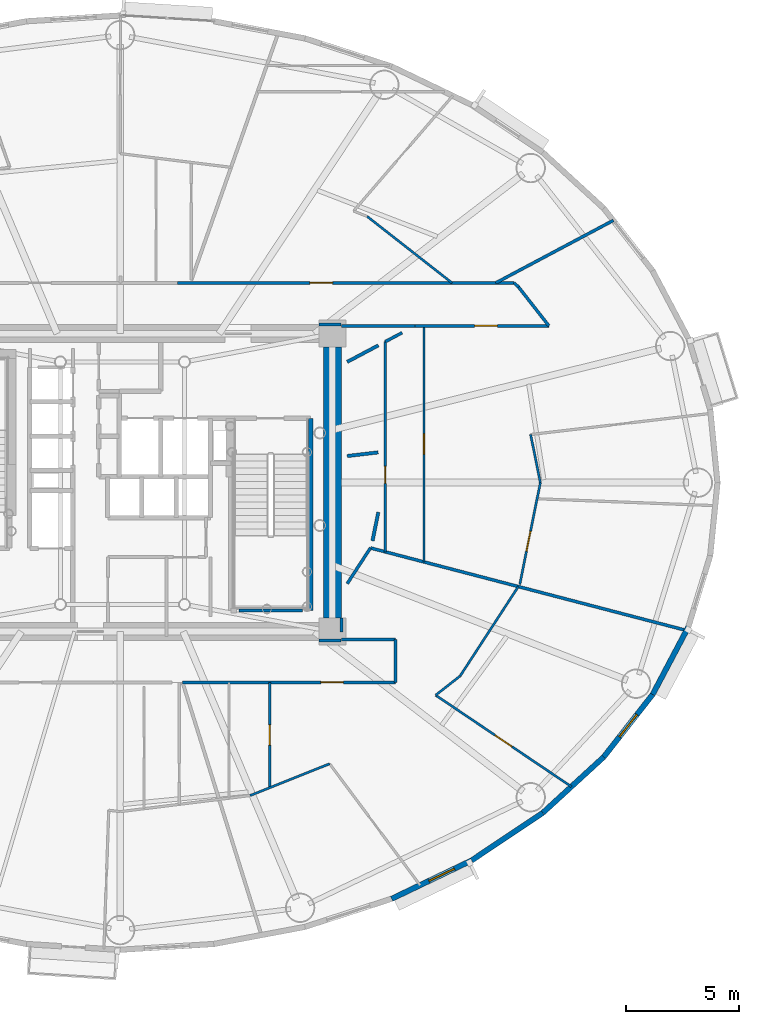
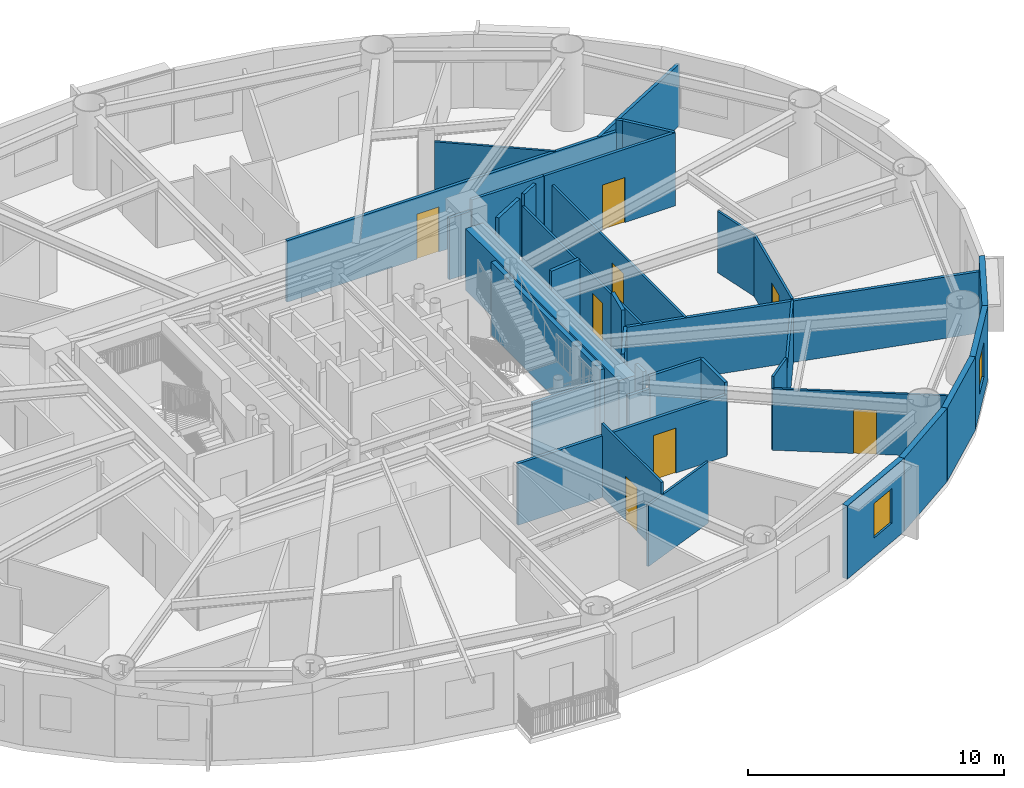
# One storey, part 9 of 18: 36 walls, 8 doors, 2 windows, 10 openings.
"""IFC4 building model written with IfcOpenShell, lengths in metres."""

from ifc_helpers import new_model, si_unit, direction, frame, frame_2d, origin, origin_2d, place, context, subcontext, project, spatial, rectangle, extrude, source, transform, mapped, material, layer, layer_set, type_object, element, fill, save


model = new_model("IFC4")

# Units and contexts
model_context = context("Model", 3, precision=1e-05, world=origin(), true_north=direction((0.0, 1.0)))
body_context = subcontext(model_context, "Body", "Model", "MODEL_VIEW")
ifc_project = project(units=[si_unit("LENGTHUNIT", "METRE"), si_unit("AREAUNIT", "SQUARE_METRE"), si_unit("VOLUMEUNIT", "CUBIC_METRE"), si_unit("PLANEANGLEUNIT", "RADIAN"), si_unit("MASSUNIT", "GRAM", prefix="KILO")], contexts=[model_context])

# Site, building, storey
site_placement = place(None, origin())
site = spatial("IfcSite", under=ifc_project, at=site_placement, CompositionType="ELEMENT")
building_placement = place(site_placement, origin())
building = spatial("IfcBuilding", under=site, at=building_placement, Name="Linh Dai School and Residence Tower", CompositionType="ELEMENT")
storey_placement = place(building_placement, frame((0.0, 0.0, 178.64990234375)))
storey = spatial("IfcBuildingStorey", under=building, at=storey_placement, Name="L43", CompositionType="ELEMENT", Elevation=178.64990234375)

# Wall, opening, window
ifc_material_1 = material(Name="Precast Concrete B45 (C35/45)", Category="concrete")
ifc_layer_1 = layer(ifc_material_1, 0.239990234375)
ifc_layer_set_1 = layer_set([ifc_layer_1], Name="Precast Concrete B45 (C35/45)")
wall_type_1 = type_object("IfcWallType", Name="EW-TC-240", PredefinedType="SOLIDWALL", material=ifc_layer_set_1)
wall_1_placement = place(storey_placement, frame((51.5732421875, 10.2568359375, 0.0), z_axis=(0.0, 0.0, 1.0), x_axis=(-0.901564733809, -0.432644231155, 0.0)))
wall_1 = element("IfcWall", 1, at=wall_1_placement, inside=storey, type_object=wall_type_1, Name="L43 Terracotta Exterior Wall 34", PredefinedType="SOLIDWALL", context=body_context, shape_type="SweptSolid", body=[
    extrude(rectangle(XDim=3.930419921875, YDim=0.239990234375, at=frame_2d((1.96533203125, 0.0))), origin(), (0.0, 0.0, 1.0), 3.5),
])
opening_1_placement = place(wall_1_placement, frame((0.84814453125, 0.0, 0.89990234375)))
opening_1 = element("IfcOpeningElement", 2, at=opening_1_placement, cuts=wall_1, Name="Opening W3", PredefinedType="OPENING", context=body_context, shape_type="SweptSolid", body=[
    extrude(rectangle(XDim=1.25, YDim=1.64990234375, at=origin_2d()), frame((0.625, 0.1298828125, 0.824951171875), z_axis=(0.0, -1.0, 0.0), x_axis=(1.0, 0.0, 0.0)), (0.0, 0.0, 1.0), 0.260009765625),
])
ifc_material_2 = material(Name="Double Low-E Insulated Glazing", Category="glass")
window_type = type_object("IfcWindowType", Name="WN-RES-1250x1650", PartitioningType="SINGLE_PANEL", PredefinedType="WINDOW", material=ifc_material_2)
shared_shape_1 = source(origin(), body_context, "Body", "SweptSolid", [
    extrude(rectangle(XDim=1.25, YDim=1.64990234375, at=origin_2d()), frame((0.625, 0.030029296875, 0.824951171875), z_axis=(0.0, -1.0, 0.0), x_axis=(1.0, 0.0, 0.0)), (0.0, 0.0, 1.0), 0.06005859375),
])
window_1_placement = place(opening_1_placement, origin())
window_1 = element("IfcWindow", 3, at=window_1_placement, inside=storey, type_object=window_type, Name="L43 Exterior Window 34.1", OverallHeight=1.64990234375, OverallWidth=1.25, PartitioningType="SINGLE_PANEL", PredefinedType="WINDOW", context=body_context, shape_type="MappedRepresentation", body=[
    mapped(shared_shape_1, transform((0.0, 0.0, 0.0), x_axis=(1.0, 0.0, 0.0), y_axis=(0.0, 1.0, 0.0), z_axis=(0.0, 0.0, 1.0), scale=1.0)),
])
fill(opening_1, window_1)

# Walls
wall_2_placement = place(storey_placement, frame((54.73193359375, 12.369384765625, 0.0), z_axis=(0.0, 0.0, 1.0), x_axis=(-0.831228998277, -0.555930168657, 0.0)))
element("IfcWall", 4, at=wall_2_placement, inside=storey, type_object=wall_type_1, Name="L43 Terracotta Exterior Wall 35", PredefinedType="SOLIDWALL", context=body_context, shape_type="SweptSolid", body=[
    extrude(rectangle(XDim=3.800048828125, YDim=0.239990234375, at=frame_2d((1.89990234375, 0.0))), origin(), (0.0, 0.0, 1.0), 3.5),
])
wall_3_placement = place(storey_placement, frame((57.42822265625, 14.841552734375, 0.0), z_axis=(0.0, 0.0, 1.0), x_axis=(-0.737076565834, -0.675809245349, 0.0)))
element("IfcWall", 5, at=wall_3_placement, inside=storey, type_object=wall_type_1, Name="L43 Terracotta Exterior Wall 36", PredefinedType="SOLIDWALL", context=body_context, shape_type="SweptSolid", body=[
    extrude(rectangle(XDim=3.658203125, YDim=0.239990234375, at=frame_2d((1.8291015625, 0.0))), origin(), (0.0, 0.0, 1.0), 3.5),
])

# Wall, opening, window
wall_4_placement = place(storey_placement, frame((59.595947265625, 17.611572265625, 0.0), z_axis=(0.0, 0.0, 1.0), x_axis=(-0.616287674549, -0.787521112224, 0.0)))
wall_4 = element("IfcWall", 6, at=wall_4_placement, inside=storey, type_object=wall_type_1, Name="L43 Terracotta Exterior Wall 37", PredefinedType="SOLIDWALL", context=body_context, shape_type="SweptSolid", body=[
    extrude(rectangle(XDim=3.517333984375, YDim=0.239990234375, at=frame_2d((1.7587890625, 0.0))), origin(), (0.0, 0.0, 1.0), 3.5),
])
opening_2_placement = place(wall_4_placement, frame((1.1337890625, 0.0, 0.89990234375)))
opening_2 = element("IfcOpeningElement", 7, at=opening_2_placement, cuts=wall_4, Name="Opening W3", PredefinedType="OPENING", context=body_context, shape_type="SweptSolid", body=[
    extrude(rectangle(XDim=1.25, YDim=1.64990234375, at=origin_2d()), frame((0.625, 0.1298828125, 0.824951171875), z_axis=(0.0, -1.0, 0.0), x_axis=(1.0, 0.0, 0.0)), (0.0, 0.0, 1.0), 0.260009765625),
])
window_2_placement = place(opening_2_placement, origin())
window_2 = element("IfcWindow", 8, at=window_2_placement, inside=storey, type_object=window_type, Name="L43 Dwelling Window U4306-BD2", OverallHeight=1.64990234375, OverallWidth=1.25, PartitioningType="SINGLE_PANEL", PredefinedType="WINDOW", context=body_context, shape_type="MappedRepresentation", body=[
    mapped(shared_shape_1, transform((0.0, 0.0, 0.0), x_axis=(1.0, 0.0, 0.0), y_axis=(0.0, 1.0, 0.0), z_axis=(0.0, 0.0, 1.0), scale=1.0)),
])
fill(opening_2, window_2)

# Wall
wall_5_placement = place(storey_placement, frame((61.1826171875, 20.611083984375, 0.0), z_axis=(0.0, 0.0, 1.0), x_axis=(-0.467586874938, -0.88394712194, 0.0)))
element("IfcWall", 9, at=wall_5_placement, inside=storey, type_object=wall_type_1, Name="L43 Terracotta Exterior Wall 38", PredefinedType="SOLIDWALL", context=body_context, shape_type="SweptSolid", body=[
    extrude(rectangle(XDim=3.393310546875, YDim=0.239990234375, at=frame_2d((1.69677734375, 0.0))), origin(), (0.0, 0.0, 1.0), 3.5),
])

# Wall, opening, door
ifc_material_3 = material(Name="Autoclaved Aerated Concrete Blockwork", Category="masonry")
ifc_layer_2 = layer(ifc_material_3, 0.135009765625)
ifc_layer_set_2 = layer_set([ifc_layer_2], Name="Autoclaved Aerated Concrete Blockwork")
wall_type_2 = type_object("IfcWallType", Name="IW-CORR-135-EI90", PredefinedType="PARTITIONING", material=ifc_layer_set_2)
wall_6_placement = place(storey_placement, frame((38.541259765625, 35.85009765625, 0.0), z_axis=(0.0, 0.0, 1.0), x_axis=(1.0, 0.0, 0.0)))
wall_6 = element("IfcWall", 10, at=wall_6_placement, inside=storey, type_object=wall_type_2, Name="L43 Interior Partition Wall 065", PredefinedType="PARTITIONING", context=body_context, shape_type="SweptSolid", body=[
    extrude(rectangle(XDim=14.91259765625, YDim=0.135009765625, at=frame_2d((7.456298828125, 0.0))), origin(), (0.0, 0.0, 1.0), 2.93505859375),
])
opening_3_placement = place(wall_6_placement, frame((5.86767578125, 0.0, 0.0)))
opening_3 = element("IfcOpeningElement", 11, at=opening_3_placement, cuts=wall_6, Name="Opening D03", PredefinedType="OPENING", context=body_context, shape_type="SweptSolid", body=[
    extrude(rectangle(XDim=1.0, YDim=2.14990234375, at=origin_2d()), frame((0.5, 0.07763671875, 1.074951171875), z_axis=(0.0, -1.0, 0.0), x_axis=(1.0, 0.0, 0.0)), (0.0, 0.0, 1.0), 0.155029296875),
])
ifc_material_4 = material(Name="Fire-Rated Solid Timber Entrance Door", Category="wood")
door_type_1 = type_object("IfcDoorType", Name="DR-FLAT-1000x2150-FD60S", OperationType="NOTDEFINED", PredefinedType="DOOR", material=ifc_material_4)
shared_shape_2 = source(origin(), body_context, "Body", "SweptSolid", [
    extrude(rectangle(XDim=1.0, YDim=2.14990234375, at=origin_2d()), frame((0.5, 0.02490234375, 1.074951171875), z_axis=(0.0, -1.0, 0.0), x_axis=(1.0, 0.0, 0.0)), (0.0, 0.0, 1.0), 0.050048828125),
])
door_1_placement = place(opening_3_placement, origin())
door_1 = element("IfcDoor", 12, at=door_1_placement, inside=storey, type_object=door_type_1, Name="L43 U4301 Apartment Entrance Door", OperationType="SINGLE_SWING_RIGHT", OverallHeight=2.14990234375, OverallWidth=1.0, PredefinedType="DOOR", context=body_context, shape_type="MappedRepresentation", body=[
    mapped(shared_shape_2, transform((0.0, 0.0, 0.0), x_axis=(1.0, 0.0, 0.0), y_axis=(0.0, 1.0, 0.0), z_axis=(0.0, 0.0, 1.0), scale=1.0)),
])
fill(opening_3, door_1)

wall_7_placement = place(storey_placement, frame((38.763671875, 18.14990234375, 0.0), z_axis=(0.0, 0.0, 1.0), x_axis=(1.0, 0.0, 0.0)))
wall_7 = element("IfcWall", 13, at=wall_7_placement, inside=storey, type_object=wall_type_2, Name="L43 Interior Partition Wall 068", PredefinedType="PARTITIONING", context=body_context, shape_type="SweptSolid", body=[
    extrude(rectangle(XDim=9.436279296875, YDim=0.135009765625, at=frame_2d((4.71826171875, 0.0))), origin(), (0.0, 0.0, 1.0), 2.93505859375),
])
opening_4_placement = place(wall_7_placement, frame((6.1298828125, 0.0, 0.0)))
opening_4 = element("IfcOpeningElement", 14, at=opening_4_placement, cuts=wall_7, Name="Opening D03", PredefinedType="OPENING", context=body_context, shape_type="SweptSolid", body=[
    extrude(rectangle(XDim=1.0, YDim=2.14990234375, at=origin_2d()), frame((0.5, 0.07763671875, 1.074951171875), z_axis=(0.0, -1.0, 0.0), x_axis=(1.0, 0.0, 0.0)), (0.0, 0.0, 1.0), 0.155029296875),
])
door_2_placement = place(opening_4_placement, origin())
door_2 = element("IfcDoor", 15, at=door_2_placement, inside=storey, type_object=door_type_1, Name="L43 U4306 Apartment Entrance Door", OperationType="SINGLE_SWING_LEFT", OverallHeight=2.14990234375, OverallWidth=1.0, PredefinedType="DOOR", context=body_context, shape_type="MappedRepresentation", body=[
    mapped(shared_shape_2, transform((0.0, 0.0, 0.0), x_axis=(1.0, 0.0, 0.0), y_axis=(0.0, 1.0, 0.0), z_axis=(0.0, 0.0, 1.0), scale=1.0)),
])
fill(opening_4, door_2)

# Walls
wall_8_placement = place(storey_placement, frame((45.800048828125, 20.050048828125, 0.0), z_axis=(0.0, 0.0, 1.0), x_axis=(1.0, 0.0, 0.0)))
element("IfcWall", 16, at=wall_8_placement, inside=storey, type_object=wall_type_2, Name="L43 Interior Partition Wall 083", PredefinedType="PARTITIONING", context=body_context, shape_type="SweptSolid", body=[
    extrude(rectangle(XDim=2.39990234375, YDim=0.135009765625, at=frame_2d((1.199951171875, 0.0))), origin(), (0.0, 0.0, 1.0), 3.5),
])
wall_9_placement = place(storey_placement, frame((47.090087890625, 24.104736328125, 0.0), z_axis=(0.0, 0.0, 1.0), x_axis=(0.967573213792, -0.252590728159, 0.0)))
element("IfcWall", 17, at=wall_9_placement, inside=storey, type_object=wall_type_2, Name="L43 Interior Partition Wall 087", PredefinedType="PARTITIONING", context=body_context, shape_type="SweptSolid", body=[
    extrude(rectangle(XDim=14.480712890625, YDim=0.135009765625, at=frame_2d((7.240234375, 0.0))), origin(), (0.0, 0.0, 1.0), 2.93505859375),
])
wall_10_placement = place(storey_placement, frame((48.199951171875, 18.14990234375, 0.0), z_axis=(0.0, 0.0, 1.0), x_axis=(0.0, 1.0, 0.0)))
element("IfcWall", 18, at=wall_10_placement, inside=storey, type_object=wall_type_2, Name="L43 Interior Partition Wall 089", PredefinedType="PARTITIONING", context=body_context, shape_type="SweptSolid", body=[
    extrude(rectangle(XDim=1.900146484375, YDim=0.135009765625, at=frame_2d((0.9501953125, 0.0))), origin(), (0.0, 0.0, 1.0), 3.5),
])

# Wall, opening, door
wall_11_placement = place(storey_placement, frame((49.071044921875, 33.949951171875, 0.0), z_axis=(0.0, 0.0, 1.0), x_axis=(1.0, 0.0, 0.0)))
wall_11 = element("IfcWall", 19, at=wall_11_placement, inside=storey, type_object=wall_type_2, Name="L43 Interior Partition Wall 090", PredefinedType="PARTITIONING", context=body_context, shape_type="SweptSolid", body=[
    extrude(rectangle(XDim=5.926025390625, YDim=0.135009765625, at=frame_2d((2.962890625, 0.0))), origin(), (0.0, 0.0, 1.0), 3.5),
])
opening_5_placement = place(wall_11_placement, frame((2.6396484375, 0.0, 0.0)))
opening_5 = element("IfcOpeningElement", 20, at=opening_5_placement, cuts=wall_11, Name="Opening D03", PredefinedType="OPENING", context=body_context, shape_type="SweptSolid", body=[
    extrude(rectangle(XDim=1.0, YDim=2.14990234375, at=origin_2d()), frame((0.5, 0.07763671875, 1.074951171875), z_axis=(0.0, -1.0, 0.0), x_axis=(1.0, 0.0, 0.0)), (0.0, 0.0, 1.0), 0.155029296875),
])
door_3_placement = place(opening_5_placement, origin())
door_3 = element("IfcDoor", 21, at=door_3_placement, inside=storey, type_object=door_type_1, Name="L43 U4307 Apartment Entrance Door", OperationType="SINGLE_SWING_RIGHT", OverallHeight=2.14990234375, OverallWidth=1.0, PredefinedType="DOOR", context=body_context, shape_type="MappedRepresentation", body=[
    mapped(shared_shape_2, transform((0.0, 0.0, 0.0), x_axis=(1.0, 0.0, 0.0), y_axis=(0.0, 1.0, 0.0), z_axis=(0.0, 0.0, 1.0), scale=1.0)),
])
fill(opening_5, door_3)

# Walls
wall_12_placement = place(storey_placement, frame((52.64453125, 35.85009765625, 0.0), z_axis=(0.0, 0.0, 1.0), x_axis=(0.882944268091, 0.469477815712, 0.0)))
element("IfcWall", 22, at=wall_12_placement, inside=storey, type_object=wall_type_2, Name="L43 Interior Partition Wall 095", PredefinedType="PARTITIONING", context=body_context, shape_type="SweptSolid", body=[
    extrude(rectangle(XDim=5.90185546875, YDim=0.135009765625, at=frame_2d((2.950927734375, 0.0))), origin(), (0.0, 0.0, 1.0), 2.93505859375),
])
wall_13_placement = place(storey_placement, frame((53.453857421875, 35.85009765625, 0.0), z_axis=(0.0, 0.0, 1.0), x_axis=(0.736667385572, -0.676255249913, 0.0)))
element("IfcWall", 23, at=wall_13_placement, inside=storey, type_object=wall_type_2, Name="L43 Interior Partition Wall 096", PredefinedType="PARTITIONING", context=body_context, shape_type="SweptSolid", body=[
    extrude(rectangle(XDim=0.270751953125, YDim=0.135009765625, at=frame_2d((0.13525390625, 0.0))), origin(), (0.0, 0.0, 1.0), 3.5),
])
wall_14_placement = place(storey_placement, frame((53.6533203125, 35.6669921875, 0.0), z_axis=(0.0, 0.0, 1.0), x_axis=(0.616302223209, -0.787509726713, 0.0)))
element("IfcWall", 24, at=wall_14_placement, inside=storey, type_object=wall_type_2, Name="L43 Interior Partition Wall 097", PredefinedType="PARTITIONING", context=body_context, shape_type="SweptSolid", body=[
    extrude(rectangle(XDim=2.180419921875, YDim=0.135009765625, at=frame_2d((1.09033203125, 0.0))), origin(), (0.0, 0.0, 1.0), 3.5),
])
wall_15_placement = place(storey_placement, frame((44.080078125, 21.330078125, 0.0), z_axis=(0.0, 0.0, 1.0), x_axis=(-1.0, 0.0, 0.0)))
element("IfcWall", 25, at=wall_15_placement, inside=storey, type_object=wall_type_2, Name="L43 Interior Partition Wall 102", PredefinedType="PARTITIONING", context=body_context, shape_type="SweptSolid", body=[
    extrude(rectangle(XDim=2.820068359375, YDim=0.135009765625, at=frame_2d((1.41015625, 0.0))), origin(), (0.0, 0.0, 1.0), 3.03515625),
])
wall_16_placement = place(storey_placement, frame((49.06103515625, 33.949951171875, 0.0), z_axis=(0.0, 0.0, 1.0), x_axis=(-1.0, 0.0, 0.0)))
element("IfcWall", 26, at=wall_16_placement, inside=storey, type_object=wall_type_2, Name="L43 Interior Partition Wall 109", PredefinedType="PARTITIONING", context=body_context, shape_type="SweptSolid", body=[
    extrude(rectangle(XDim=3.260986328125, YDim=0.135009765625, at=frame_2d((1.63037109375, 0.0))), origin(), (0.0, 0.0, 1.0), 3.5),
])
for number, where, z_axis, x_axis, name in (
    (27, (45.7900390625, 34.0, 0.0), (0.0, 0.0, 1.0), (-1.0, 0.0, 0.0), "L43 Interior Partition Wall 110"),
    (28, (44.81005859375, 20.0, 0.0), (0.0, 0.0, 1.0), (1.0, 0.0, 0.0), "L43 Interior Partition Wall 115"),
):
    element("IfcWall", number, at=place(storey_placement, frame(where, z_axis=z_axis, x_axis=x_axis)), inside=storey, type_object=wall_type_2, Name=name, PredefinedType="PARTITIONING", context=body_context, shape_type="SweptSolid", body=[
        extrude(rectangle(XDim=0.97998046875, YDim=0.135009765625, at=frame_2d((0.489990234375, 0.0))), origin(), (0.0, 0.0, 1.0), 2.93505859375),
    ])
wall_17_placement = place(storey_placement, frame((45.800048828125, 20.37744140625, 0.0), z_axis=(0.0, 0.0, 1.0), x_axis=(0.0, 1.0, 0.0)))
element("IfcWall", 29, at=wall_17_placement, inside=storey, type_object=wall_type_2, Name="L43 Interior Partition Wall 121", PredefinedType="PARTITIONING", context=body_context, shape_type="SweptSolid", body=[
    extrude(rectangle(XDim=0.612548828125, YDim=0.135009765625, at=frame_2d((0.30615234375, 0.0))), origin(), (0.0, 0.0, 1.0), 3.5),
])
wall_18_placement = place(storey_placement, frame((46.06005859375, 22.521484375, 0.0), z_axis=(0.0, 0.0, 1.0), x_axis=(0.545329049498, 0.838222063521, 0.0)))
element("IfcWall", 30, at=wall_18_placement, inside=storey, type_object=wall_type_2, Name="L43 Interior Partition Wall 122", PredefinedType="PARTITIONING", context=body_context, shape_type="SweptSolid", body=[
    extrude(rectangle(XDim=1.888916015625, YDim=0.135009765625, at=frame_2d((0.9443359375, 0.0))), origin(), (0.0, 0.0, 1.0), 2.93505859375),
])
wall_19_placement = place(storey_placement, frame((47.749267578125, 33.2470703125, 0.0), z_axis=(0.0, 0.0, 1.0), x_axis=(0.882834022315, 0.469685095616, 0.0)))
element("IfcWall", 31, at=wall_19_placement, inside=storey, type_object=wall_type_2, Name="L43 Interior Partition Wall 126", PredefinedType="PARTITIONING", context=body_context, shape_type="SweptSolid", body=[
    extrude(rectangle(XDim=0.842041015625, YDim=0.135009765625, at=frame_2d((0.4208984375, 0.0))), origin(), (0.0, 0.0, 1.0), 3.5),
])
ifc_layer_3 = layer(ifc_material_3, 0.14990234375)
ifc_layer_set_3 = layer_set([ifc_layer_3], Name="Autoclaved Aerated Concrete Blockwork")
wall_type_3 = type_object("IfcWallType", Name="IW-SCH-150-EI60", PredefinedType="PARTITIONING", material=ifc_layer_set_3)
wall_20_placement = place(storey_placement, frame((47.43310546875, 28.33984375, 0.0), z_axis=(0.0, 0.0, 1.0), x_axis=(-0.993204743367, -0.116380143293, 0.0)))
element("IfcWall", 32, at=wall_20_placement, inside=storey, type_object=wall_type_3, Name="L43 Interior Partition Wall 123", PredefinedType="PARTITIONING", context=body_context, shape_type="SweptSolid", body=[
    extrude(rectangle(XDim=1.38232421875, YDim=0.14990234375, at=frame_2d((0.691162109375, 0.0))), origin(), (0.0, 0.0, 1.0), 3.5),
])
wall_21_placement = place(storey_placement, frame((46.06005859375, 32.34912109375, 0.0), z_axis=(0.0, 0.0, 1.0), x_axis=(0.882988187469, 0.469395207465, 0.0)))
element("IfcWall", 33, at=wall_21_placement, inside=storey, type_object=wall_type_3, Name="L43 Interior Partition Wall 124", PredefinedType="PARTITIONING", context=body_context, shape_type="SweptSolid", body=[
    extrude(rectangle(XDim=1.56201171875, YDim=0.14990234375, at=frame_2d((0.781005859375, 0.0))), origin(), (0.0, 0.0, 1.0), 3.5),
])
wall_22_placement = place(storey_placement, frame((47.18212890625, 24.419189453125, 0.0), z_axis=(0.0, 0.0, 1.0), x_axis=(0.198178705385, 0.980165904698, 0.0)))
element("IfcWall", 34, at=wall_22_placement, inside=storey, type_object=wall_type_3, Name="L43 Interior Partition Wall 125", PredefinedType="PARTITIONING", context=body_context, shape_type="SweptSolid", body=[
    extrude(rectangle(XDim=1.297119140625, YDim=0.14990234375, at=frame_2d((0.6484375, 0.0))), origin(), (0.0, 0.0, 1.0), 3.5),
])
ifc_material_5 = material(Name="Concrete B45 (C35/45)", Category="concrete")
ifc_layer_4 = layer(ifc_material_5, 0.199951171875)
ifc_layer_set_4 = layer_set([ifc_layer_4], Name="Concrete B45 (C35/45)")
wall_type_4 = type_object("IfcWallType", Name="IW-SHAFT-200-EI120", PredefinedType="PARTITIONING", material=ifc_layer_set_4)
wall_23_placement = place(storey_placement, frame((44.43994140625, 21.330078125, 0.0), z_axis=(0.0, 0.0, 1.0), x_axis=(0.0, 1.0, 0.0)))
element("IfcWall", 35, at=wall_23_placement, inside=storey, type_object=wall_type_4, Name="L43 Interior Partition Wall 081", PredefinedType="PARTITIONING", context=body_context, shape_type="SweptSolid", body=[
    extrude(rectangle(XDim=8.52001953125, YDim=0.199951171875, at=frame_2d((4.260009765625, 0.0))), origin(), (0.0, 0.0, 1.0), 3.5),
])
ifc_material_6 = material(Name="Gypsum Plasterboard Acoustic Stud Partition", Category="masonry")
ifc_layer_5 = layer(ifc_material_6, 0.10009765625)
ifc_layer_set_5 = layer_set([ifc_layer_5], Name="Gypsum Plasterboard Acoustic Stud Partition")
wall_type_5 = type_object("IfcWallType", Name="IW-UNIT-100", PredefinedType="PARTITIONING", material=ifc_layer_set_5)
wall_24_placement = place(storey_placement, frame((41.75390625, 13.132568359375, 0.0), z_axis=(0.0, 0.0, 1.0), x_axis=(0.928786664236, 0.370614803182, 0.0)))
element("IfcWall", 36, at=wall_24_placement, inside=storey, type_object=wall_type_5, Name="L43 Interior Partition Wall 077", PredefinedType="PARTITIONING", context=body_context, shape_type="SweptSolid", body=[
    extrude(rectangle(XDim=3.79833984375, YDim=0.10009765625, at=frame_2d((1.899169921875, 0.0))), origin(), (0.0, 0.0, 1.0), 2.93505859375),
])

# Wall, opening, door
wall_25_placement = place(storey_placement, frame((42.626953125, 13.48095703125, 0.0), z_axis=(0.0, 0.0, 1.0), x_axis=(0.0, 1.0, 0.0)))
wall_25 = element("IfcWall", 37, at=wall_25_placement, inside=storey, type_object=wall_type_5, Name="L43 Interior Partition Wall 080", PredefinedType="PARTITIONING", context=body_context, shape_type="SweptSolid", body=[
    extrude(rectangle(XDim=4.6689453125, YDim=0.10009765625, at=frame_2d((2.33447265625, 0.0))), origin(), (0.0, 0.0, 1.0), 3.5),
])
opening_6_placement = place(wall_25_placement, frame((1.884521484375, 0.0, 0.0)))
opening_6 = element("IfcOpeningElement", 38, at=opening_6_placement, cuts=wall_25, Name="Opening D05", PredefinedType="OPENING", context=body_context, shape_type="SweptSolid", body=[
    extrude(rectangle(XDim=0.89990234375, YDim=2.10009765625, at=origin_2d()), frame((0.449951171875, 0.06005859375, 1.050048828125), z_axis=(0.0, -1.0, 0.0), x_axis=(1.0, 0.0, 0.0)), (0.0, 0.0, 1.0), 0.1201171875),
])
ifc_material_7 = material(Name="Engineered Timber Internal Door", Category="wood")
door_type_2 = type_object("IfcDoorType", Name="DR-INT-900x2100", OperationType="NOTDEFINED", PredefinedType="DOOR", material=ifc_material_7)
shared_shape_3 = source(origin(), body_context, "Body", "SweptSolid", [
    extrude(rectangle(XDim=0.89990234375, YDim=2.10009765625, at=origin_2d()), frame((0.449951171875, 0.02490234375, 1.050048828125), z_axis=(0.0, -1.0, 0.0), x_axis=(1.0, 0.0, 0.0)), (0.0, 0.0, 1.0), 0.050048828125),
])
door_4_placement = place(opening_6_placement, origin())
door_4 = element("IfcDoor", 39, at=door_4_placement, inside=storey, type_object=door_type_2, Name="L43 Apartment U4306 Kitchen Door", OperationType="SINGLE_SWING_RIGHT", OverallHeight=2.10009765625, OverallWidth=0.89990234375, PredefinedType="DOOR", context=body_context, shape_type="MappedRepresentation", body=[
    mapped(shared_shape_3, transform((0.0, 0.0, 0.0), x_axis=(1.0, 0.0, 0.0), y_axis=(0.0, 1.0, 0.0), z_axis=(0.0, 0.0, 1.0), scale=1.0)),
])
fill(opening_6, door_4)

# Wall
wall_26_placement = place(storey_placement, frame((46.944580078125, 38.79638671875, 0.0), z_axis=(0.0, 0.0, 1.0), x_axis=(0.787326008068, -0.616536906454, 0.0)))
element("IfcWall", 40, at=wall_26_placement, inside=storey, type_object=wall_type_5, Name="L43 Interior Partition Wall 086", PredefinedType="PARTITIONING", context=body_context, shape_type="SweptSolid", body=[
    extrude(rectangle(XDim=4.77880859375, YDim=0.10009765625, at=frame_2d((2.389404296875, 0.0))), origin(), (0.0, 0.0, 1.0), 2.93505859375),
])

# Wall, opening, door
wall_27_placement = place(storey_placement, frame((47.749267578125, 23.9326171875, 0.0), z_axis=(0.0, 0.0, 1.0), x_axis=(0.0, 1.0, 0.0)))
wall_27 = element("IfcWall", 41, at=wall_27_placement, inside=storey, type_object=wall_type_5, Name="L43 Interior Partition Wall 088", PredefinedType="PARTITIONING", context=body_context, shape_type="SweptSolid", body=[
    extrude(rectangle(XDim=9.314453125, YDim=0.10009765625, at=frame_2d((4.6572265625, 0.0))), origin(), (0.0, 0.0, 1.0), 2.93505859375),
])
opening_7_placement = place(wall_27_placement, frame((3.030029296875, 0.0, 0.0)))
opening_7 = element("IfcOpeningElement", 42, at=opening_7_placement, cuts=wall_27, Name="Opening D08", PredefinedType="OPENING", context=body_context, shape_type="SweptSolid", body=[
    extrude(rectangle(XDim=0.760009765625, YDim=2.10009765625, at=origin_2d()), frame((0.3798828125, 0.06005859375, 1.050048828125), z_axis=(0.0, -1.0, 0.0), x_axis=(1.0, 0.0, 0.0)), (0.0, 0.0, 1.0), 0.1201171875),
])
ifc_material_8 = material(Name="Engineered Timber Closet and Study Door", Category="wood")
door_type_3 = type_object("IfcDoorType", Name="DR-CMP-760x2100", OperationType="NOTDEFINED", PredefinedType="DOOR", material=ifc_material_8)
shared_shape_4 = source(origin(), body_context, "Body", "SweptSolid", [
    extrude(rectangle(XDim=0.760009765625, YDim=2.10009765625, at=origin_2d()), frame((0.3798828125, 0.02490234375, 1.050048828125), z_axis=(0.0, -1.0, 0.0), x_axis=(1.0, 0.0, 0.0)), (0.0, 0.0, 1.0), 0.050048828125),
])
door_5_placement = place(opening_7_placement, origin())
door_5 = element("IfcDoor", 43, at=door_5_placement, inside=storey, type_object=door_type_3, Name="L43 Apartment U4307 Bathroom 1 Door", OperationType="SINGLE_SWING_RIGHT", OverallHeight=2.10009765625, OverallWidth=0.760009765625, PredefinedType="DOOR", context=body_context, shape_type="MappedRepresentation", body=[
    mapped(shared_shape_4, transform((0.0, 0.0, 0.0), x_axis=(1.0, 0.0, 0.0), y_axis=(0.0, 1.0, 0.0), z_axis=(0.0, 0.0, 1.0), scale=1.0)),
])
fill(opening_7, door_5)

wall_28_placement = place(storey_placement, frame((49.46435546875, 23.48486328125, 0.0), z_axis=(0.0, 0.0, 1.0), x_axis=(0.0, 1.0, 0.0)))
wall_28 = element("IfcWall", 44, at=wall_28_placement, inside=storey, type_object=wall_type_5, Name="L43 Interior Partition Wall 091", PredefinedType="PARTITIONING", context=body_context, shape_type="SweptSolid", body=[
    extrude(rectangle(XDim=10.465087890625, YDim=0.10009765625, at=frame_2d((5.232421875, 0.0))), origin(), (0.0, 0.0, 1.0), 2.93505859375),
])
opening_8_placement = place(wall_28_placement, frame((4.78271484375, 0.0, 0.0)))
opening_8 = element("IfcOpeningElement", 45, at=opening_8_placement, cuts=wall_28, Name="Opening D05", PredefinedType="OPENING", context=body_context, shape_type="SweptSolid", body=[
    extrude(rectangle(XDim=0.89990234375, YDim=2.10009765625, at=origin_2d()), frame((0.449951171875, 0.06005859375, 1.050048828125), z_axis=(0.0, -1.0, 0.0), x_axis=(1.0, 0.0, 0.0)), (0.0, 0.0, 1.0), 0.1201171875),
])
door_6_placement = place(opening_8_placement, origin())
door_6 = element("IfcDoor", 46, at=door_6_placement, inside=storey, type_object=door_type_2, Name="L43 Apartment U4307 Kitchen Door", OperationType="SINGLE_SWING_LEFT", OverallHeight=2.10009765625, OverallWidth=0.89990234375, PredefinedType="DOOR", context=body_context, shape_type="MappedRepresentation", body=[
    mapped(shared_shape_3, transform((0.0, 0.0, 0.0), x_axis=(1.0, 0.0, 0.0), y_axis=(0.0, 1.0, 0.0), z_axis=(0.0, 0.0, 1.0), scale=1.0)),
])
fill(opening_8, door_6)

# Wall
wall_29_placement = place(storey_placement, frame((49.979248046875, 17.580078125, 0.0), z_axis=(0.0, 0.0, 1.0), x_axis=(0.787344176355, 0.6165137046, 0.0)))
element("IfcWall", 47, at=wall_29_placement, inside=storey, type_object=wall_type_5, Name="L43 Interior Partition Wall 092", PredefinedType="PARTITIONING", context=body_context, shape_type="SweptSolid", body=[
    extrude(rectangle(XDim=1.377685546875, YDim=0.10009765625, at=frame_2d((0.68896484375, 0.0))), origin(), (0.0, 0.0, 1.0), 3.5),
])

# Wall, opening, door
wall_30_placement = place(storey_placement, frame((49.979248046875, 17.580078125, 0.0), z_axis=(0.0, 0.0, 1.0), x_axis=(0.829313188428, -0.55878406876, 0.0)))
wall_30 = element("IfcWall", 48, at=wall_30_placement, inside=storey, type_object=wall_type_5, Name="L43 Interior Partition Wall 093", PredefinedType="PARTITIONING", context=body_context, shape_type="SweptSolid", body=[
    extrude(rectangle(XDim=7.258544921875, YDim=0.10009765625, at=frame_2d((3.62939453125, 0.0))), origin(), (0.0, 0.0, 1.0), 2.93505859375),
])
opening_9_placement = place(wall_30_placement, frame((3.17919921875, 0.0, 0.0)))
opening_9 = element("IfcOpeningElement", 49, at=opening_9_placement, cuts=wall_30, Name="Opening D05", PredefinedType="OPENING", context=body_context, shape_type="SweptSolid", body=[
    extrude(rectangle(XDim=0.89990234375, YDim=2.10009765625, at=origin_2d()), frame((0.449951171875, 0.06005859375, 1.050048828125), z_axis=(0.0, -1.0, 0.0), x_axis=(1.0, 0.0, 0.0)), (0.0, 0.0, 1.0), 0.1201171875),
])
door_7_placement = place(opening_9_placement, origin())
door_7 = element("IfcDoor", 50, at=door_7_placement, inside=storey, type_object=door_type_2, Name="L43 Apartment U4306 Principal Bedroom 2 Door", OperationType="SINGLE_SWING_LEFT", OverallHeight=2.10009765625, OverallWidth=0.89990234375, PredefinedType="DOOR", context=body_context, shape_type="MappedRepresentation", body=[
    mapped(shared_shape_3, transform((0.0, 0.0, 0.0), x_axis=(1.0, 0.0, 0.0), y_axis=(0.0, 1.0, 0.0), z_axis=(0.0, 0.0, 1.0), scale=1.0)),
])
fill(opening_9, door_7)

# Wall
wall_31_placement = place(storey_placement, frame((51.06396484375, 18.429443359375, 0.0), z_axis=(0.0, 0.0, 1.0), x_axis=(0.545362062942, 0.838200584767, 0.0)))
element("IfcWall", 51, at=wall_31_placement, inside=storey, type_object=wall_type_5, Name="L43 Interior Partition Wall 094", PredefinedType="PARTITIONING", context=body_context, shape_type="SweptSolid", body=[
    extrude(rectangle(XDim=4.7294921875, YDim=0.10009765625, at=frame_2d((2.36474609375, 0.0))), origin(), (0.0, 0.0, 1.0), 2.93505859375),
])

# Wall, opening, door
wall_32_placement = place(storey_placement, frame((53.708740234375, 22.494140625, 0.0), z_axis=(0.0, 0.0, 1.0), x_axis=(0.198239863178, 0.980153537282, 0.0)))
wall_32 = element("IfcWall", 52, at=wall_32_placement, inside=storey, type_object=wall_type_5, Name="L43 Interior Partition Wall 098", PredefinedType="PARTITIONING", context=body_context, shape_type="SweptSolid", body=[
    extrude(rectangle(XDim=4.597412109375, YDim=0.10009765625, at=frame_2d((2.298828125, 0.0))), origin(), (0.0, 0.0, 1.0), 2.93505859375),
])
opening_10_placement = place(wall_32_placement, frame((1.50390625, 0.0, 0.0)))
opening_10 = element("IfcOpeningElement", 53, at=opening_10_placement, cuts=wall_32, Name="Opening D05", PredefinedType="OPENING", context=body_context, shape_type="SweptSolid", body=[
    extrude(rectangle(XDim=0.89990234375, YDim=2.10009765625, at=origin_2d()), frame((0.449951171875, 0.06005859375, 1.050048828125), z_axis=(0.0, -1.0, 0.0), x_axis=(1.0, 0.0, 0.0)), (0.0, 0.0, 1.0), 0.1201171875),
])
door_8_placement = place(opening_10_placement, origin())
door_8 = element("IfcDoor", 54, at=door_8_placement, inside=storey, type_object=door_type_2, Name="L43 Apartment U4307 Principal Bedroom 1 Door", OperationType="SINGLE_SWING_LEFT", OverallHeight=2.10009765625, OverallWidth=0.89990234375, PredefinedType="DOOR", context=body_context, shape_type="MappedRepresentation", body=[
    mapped(shared_shape_3, transform((0.0, 0.0, 0.0), x_axis=(1.0, 0.0, 0.0), y_axis=(0.0, 1.0, 0.0), z_axis=(0.0, 0.0, 1.0), scale=1.0)),
])
fill(opening_10, door_8)

# Walls
wall_33_placement = place(storey_placement, frame((54.18896484375, 29.131591796875, 0.0), z_axis=(0.0, 0.0, 1.0), x_axis=(0.198252946245, -0.98015089109, 0.0)))
element("IfcWall", 55, at=wall_33_placement, inside=storey, type_object=wall_type_5, Name="L43 Interior Partition Wall 099", PredefinedType="PARTITIONING", context=body_context, shape_type="SweptSolid", body=[
    extrude(rectangle(XDim=2.1748046875, YDim=0.10009765625, at=frame_2d((1.08740234375, 0.0))), origin(), (0.0, 0.0, 1.0), 2.93505859375),
])
ifc_material_9 = material(Name="Concrete B60 (C50/60)", Category="concrete")
ifc_layer_6 = layer(ifc_material_9, 0.800048828125)
ifc_layer_set_6 = layer_set([ifc_layer_6], Name="Concrete B60 (C50/60)")
wall_type_6 = type_object("IfcWallType", Name="WL-CORE800", PredefinedType="SHEAR", material=ifc_layer_set_6)
wall_34_placement = place(storey_placement, frame((45.39990234375, 33.0, 0.0), z_axis=(0.0, 0.0, 1.0), x_axis=(0.0, -1.0, 0.0)))
element("IfcWall", 56, at=wall_34_placement, inside=storey, type_object=wall_type_6, Name="L43 Central Core Shear Wall E", PredefinedType="SHEAR", context=body_context, shape_type="SweptSolid", body=[
    extrude(rectangle(XDim=12.0, YDim=0.800048828125, at=frame_2d((6.0, 0.0))), origin(), (0.0, 0.0, 1.0), 2.9501953125),
])

save(model, "model.ifc")
